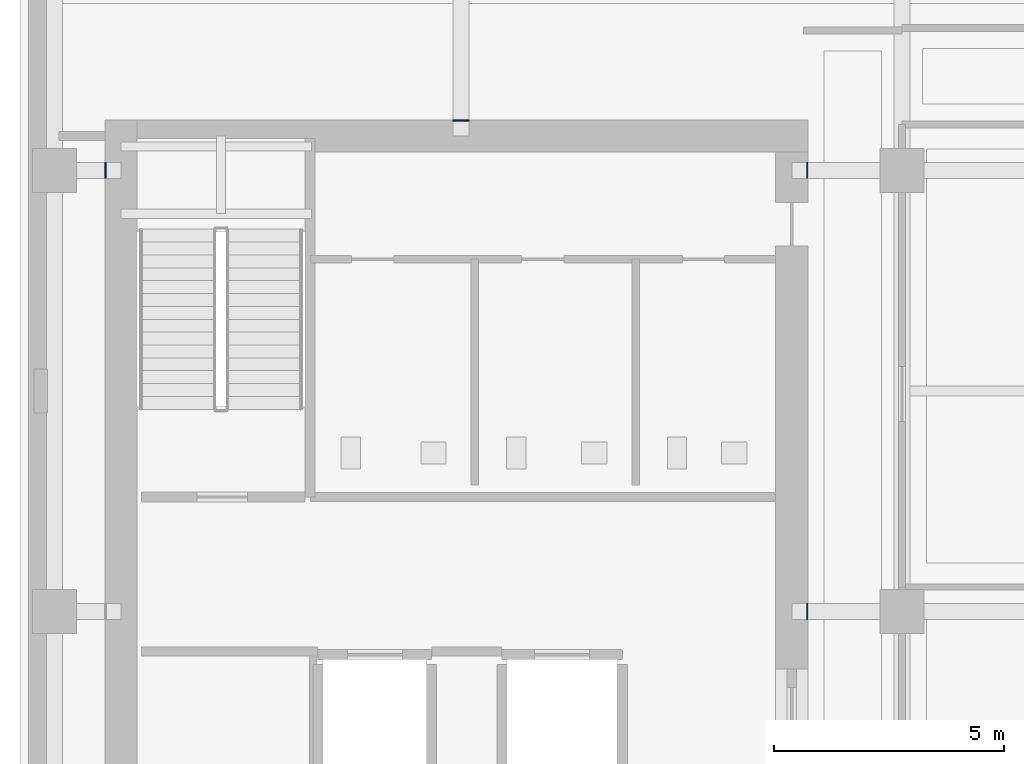
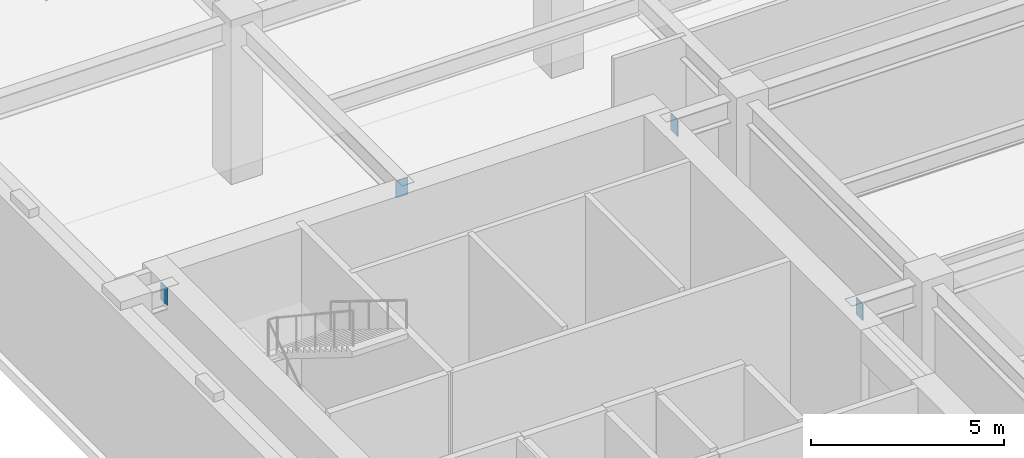
# One storey, part 9 of 18: 4 discrete accessories.
"""IFC4 building model written with IfcOpenShell, lengths in metres."""

from ifc_helpers import new_model, si_unit, direction, frame, origin, origin_2d, place, context, subcontext, project, spatial, rectangle, extrude, material, layer, layer_set, type_object, element, save


model = new_model("IFC4")

# Units and contexts
model_context = context("Model", 3, precision=1e-05, world=origin(), true_north=direction((0.0, 1.0)))
body_context = subcontext(model_context, "Body", "Model", "MODEL_VIEW")
ifc_project = project(units=[si_unit("LENGTHUNIT", "METRE"), si_unit("AREAUNIT", "SQUARE_METRE"), si_unit("VOLUMEUNIT", "CUBIC_METRE"), si_unit("PLANEANGLEUNIT", "RADIAN"), si_unit("MASSUNIT", "GRAM", prefix="KILO")], contexts=[model_context])

# Site, building, storey
site_placement = place(None, origin())
site = spatial("IfcSite", under=ifc_project, at=site_placement, CompositionType="ELEMENT")
building_placement = place(site_placement, origin())
building = spatial("IfcBuilding", under=site, at=building_placement, Name="Norrvale University Quadrangle", CompositionType="ELEMENT")
storey_placement = place(building_placement, frame((0.0, 0.0, 150.800048828125)))
storey = spatial("IfcBuildingStorey", under=building, at=storey_placement, Name="L38", CompositionType="ELEMENT", Elevation=150.800048828125)

# Discrete accessories
ifc_material = material(Name="Steel 350W", Category="steel")
ifc_layer = layer(ifc_material, 0.02490234375, Name="Steel 350W")
ifc_layer_set = layer_set([ifc_layer], Name="Steel 350W")
discrete_accessory_type = type_object("IfcDiscreteAccessoryType", Name="Accessory Cast In Embed Plate", PredefinedType="ANCHORPLATE", material=ifc_layer_set)
for number, where, z_axis, x_axis, name in (
    (1, (17.137451171875, 37.64990234375, 4.35986328125), (0.0, 0.0, 1.0), (1.0, 0.0, 0.0), "Core Wall Cast-in Embed Plate L38-GCE067"),
    (2, (1.862548828125, 47.25, 4.35986328125), (0.0, 0.0, 1.0), (1.0, 0.0, 0.0), "Core Wall Cast-in Embed Plate L38-GCW068"),
    (3, (17.137451171875, 47.25, 4.35986328125), (0.0, 0.0, 1.0), (1.0, 0.0, 0.0), "Core Wall Cast-in Embed Plate L38-GCE069"),
):
    element("IfcDiscreteAccessory", number, at=place(storey_placement, frame(where, z_axis=z_axis, x_axis=x_axis)), inside=storey, type_object=discrete_accessory_type, Name=name, PredefinedType="ANCHORPLATE", context=body_context, shape_type="SweptSolid", body=[
        extrude(rectangle(XDim=0.02490234375, YDim=0.35009765625, at=origin_2d()), origin(), (0.0, 0.0, 1.0), 0.5400390625),
    ])
discrete_accessory_placement = place(storey_placement, frame((9.60009765625, 48.33740234375, 4.35986328125), z_axis=(0.0, 0.0, 1.0), x_axis=(1.0, 0.0, 0.0)))
element("IfcDiscreteAccessory", 4, at=discrete_accessory_placement, inside=storey, type_object=discrete_accessory_type, Name="Core Wall Cast-in Embed Plate L38-GCN091", PredefinedType="ANCHORPLATE", context=body_context, shape_type="SweptSolid", body=[
    extrude(rectangle(XDim=0.35009765625, YDim=0.02490234375, at=origin_2d()), origin(), (0.0, 0.0, 1.0), 0.5400390625),
])

save(model, "model.ifc")
